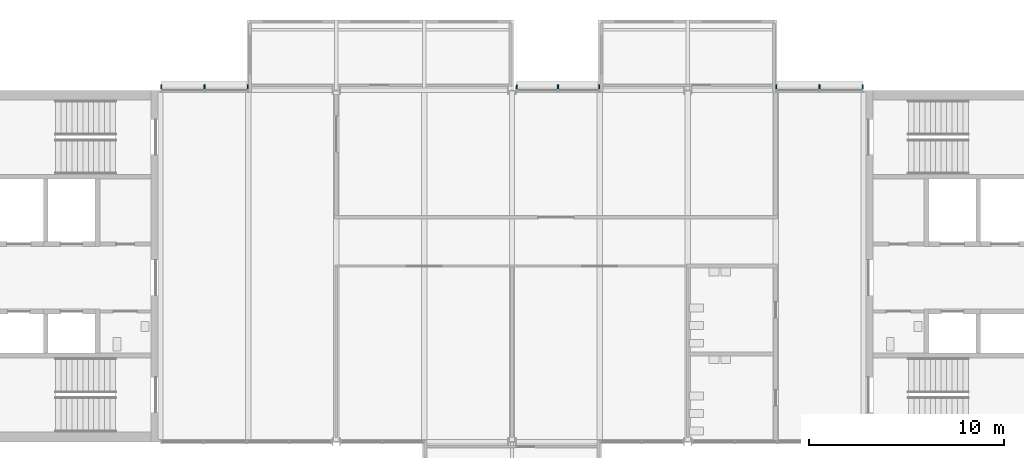
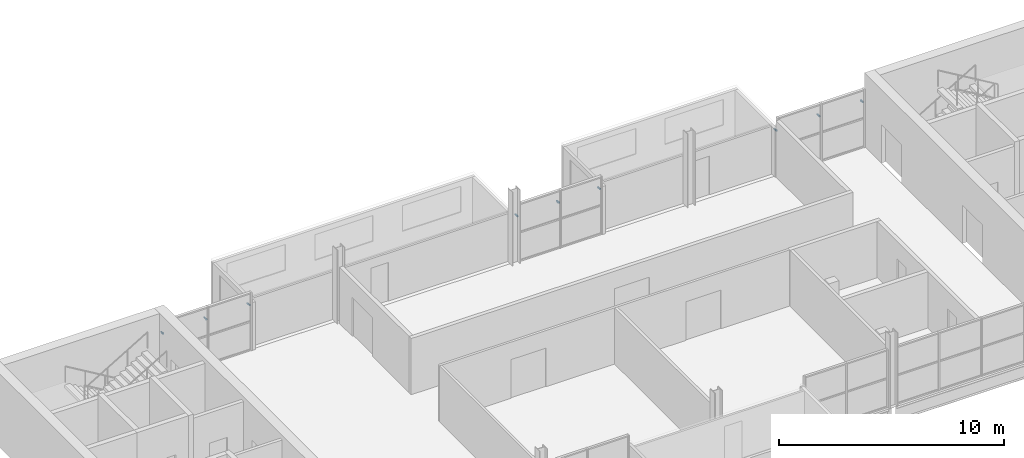
# One storey, part 8 of 10: 9 discrete accessories.
"""IFC4 building model written with IfcOpenShell, lengths in metres."""

from ifc_helpers import new_model, si_unit, direction, frame, origin, origin_2d, place, context, subcontext, project, spatial, rectangle, extrude, material, type_object, element, save


model = new_model("IFC4")

# Units and contexts
model_context = context("Model", 3, precision=1e-05, world=origin(), true_north=direction((0.0, 1.0)))
body_context = subcontext(model_context, "Body", "Model", "MODEL_VIEW")
ifc_project = project(units=[si_unit("LENGTHUNIT", "METRE"), si_unit("AREAUNIT", "SQUARE_METRE"), si_unit("VOLUMEUNIT", "CUBIC_METRE"), si_unit("PLANEANGLEUNIT", "RADIAN"), si_unit("MASSUNIT", "GRAM", prefix="KILO")], contexts=[model_context])

# Site, building, storey
site_placement = place(None, origin())
site = spatial("IfcSite", under=ifc_project, at=site_placement, CompositionType="ELEMENT")
building_placement = place(site_placement, origin())
building = spatial("IfcBuilding", under=site, at=building_placement, Name="Corbel Yard City Hall", CompositionType="ELEMENT")
storey_placement = place(building_placement, frame((0.0, 0.0, 47.199951171875)))
storey = spatial("IfcBuildingStorey", under=building, at=storey_placement, Name="L11", CompositionType="ELEMENT", Elevation=47.199951171875)

# Discrete accessories
ifc_material = material(Name="Steel Grade 300 (300 MPa yield)", Category="steel")
discrete_accessory_type = type_object("IfcDiscreteAccessoryType", Name="BK1", PredefinedType="BRACKET", material=ifc_material)
for number, where, z_axis, x_axis, name in (
    (1, (9.032470703125, 117.18994140625, 2.33251953125), (0.0, 0.0, 1.0), (1.0, 0.0, 0.0), "Louvre bracket"),
    (2, (11.25, 117.18994140625, 2.33251953125), (0.0, 0.0, 1.0), (1.0, 0.0, 0.0), "Louvre bracket"),
    (3, (13.467529296875, 117.18994140625, 2.33251953125), (0.0, 0.0, 1.0), (1.0, 0.0, 0.0), "Louvre bracket"),
    (4, (27.239501953125, 117.18994140625, 2.33251953125), (0.0, 0.0, 1.0), (1.0, 0.0, 0.0), "Louvre bracket"),
    (5, (29.353515625, 117.18994140625, 2.33251953125), (0.0, 0.0, 1.0), (1.0, 0.0, 0.0), "Louvre bracket"),
    (6, (31.467529296875, 117.18994140625, 2.33251953125), (0.0, 0.0, 1.0), (1.0, 0.0, 0.0), "Louvre bracket"),
    (7, (40.532470703125, 117.18994140625, 2.33251953125), (0.0, 0.0, 1.0), (1.0, 0.0, 0.0), "Louvre bracket"),
    (8, (42.75, 117.18994140625, 2.33251953125), (0.0, 0.0, 1.0), (1.0, 0.0, 0.0), "Louvre bracket"),
    (9, (44.967529296875, 117.18994140625, 2.33251953125), (0.0, 0.0, 1.0), (1.0, 0.0, 0.0), "Louvre bracket"),
):
    element("IfcDiscreteAccessory", number, at=place(storey_placement, frame(where, z_axis=z_axis, x_axis=x_axis)), inside=storey, type_object=discrete_accessory_type, Name=name, PredefinedType="BRACKET", context=body_context, shape_type="SweptSolid", body=[
        extrude(rectangle(XDim=0.06005859375, YDim=0.199951171875, at=origin_2d()), origin(), (0.0, 0.0, 1.0), 0.06005859375),
    ])

save(model, "model.ifc")
